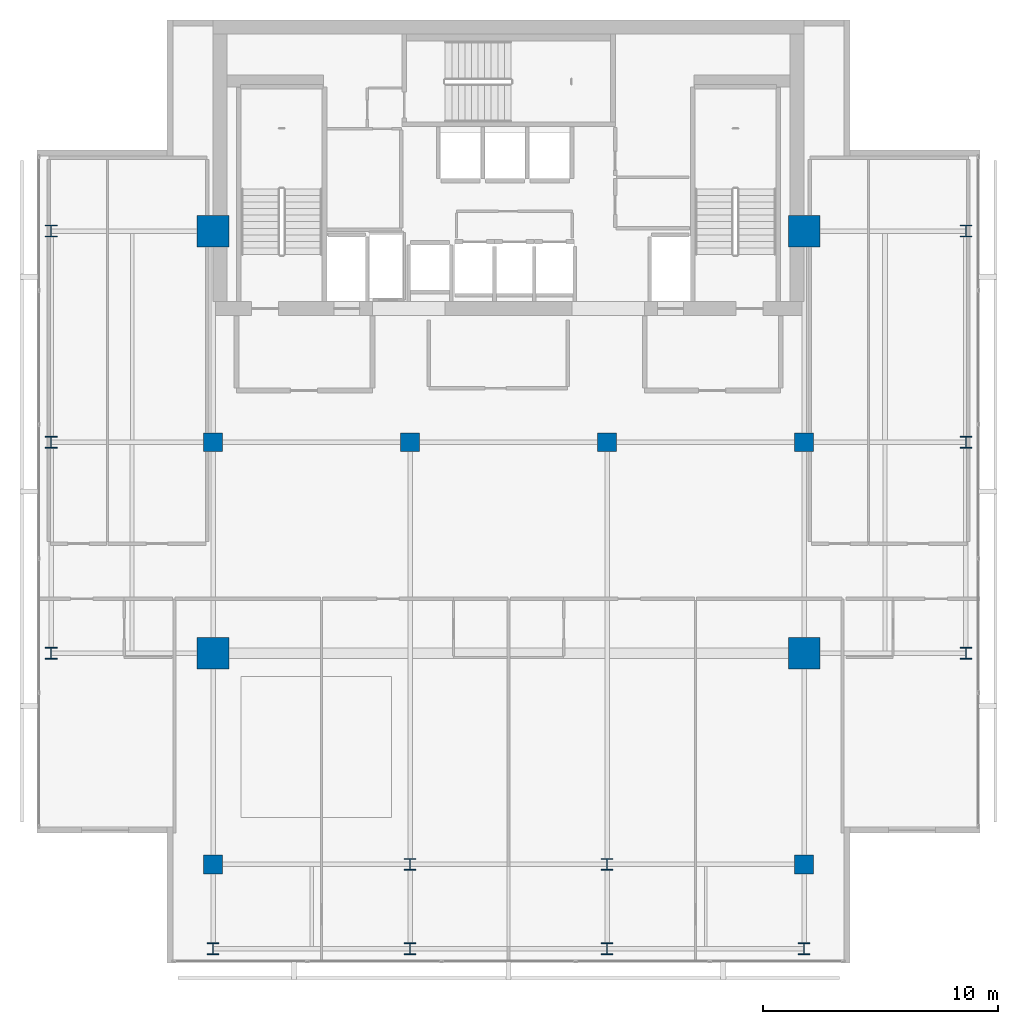
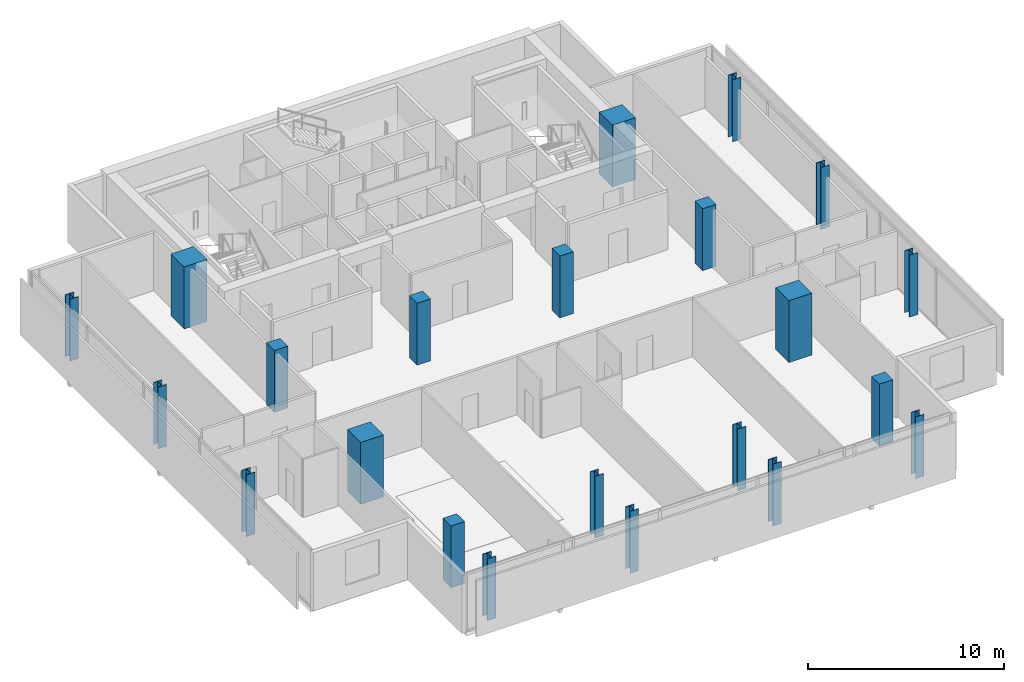
# One storey, part 1 of 23: 22 columns.
"""IFC4 building model written with IfcOpenShell, lengths in metres."""

from ifc_helpers import new_model, si_unit, direction, frame, origin, origin_2d, place, context, subcontext, project, spatial, rectangle, i_section, extrude, material, material_profile, profile_set, type_object, element, save


model = new_model("IFC4")

# Units and contexts
model_context = context("Model", 3, precision=1e-05, world=origin(), true_north=direction((0.0, 1.0)))
body_context = subcontext(model_context, "Body", "Model", "MODEL_VIEW")
ifc_project = project(units=[si_unit("LENGTHUNIT", "METRE"), si_unit("AREAUNIT", "SQUARE_METRE"), si_unit("VOLUMEUNIT", "CUBIC_METRE"), si_unit("PLANEANGLEUNIT", "RADIAN"), si_unit("MASSUNIT", "GRAM", prefix="KILO")], contexts=[model_context])

# Site, building, storey
site_placement = place(None, origin())
site = spatial("IfcSite", under=ifc_project, at=site_placement, CompositionType="ELEMENT")
building_placement = place(site_placement, origin())
building = spatial("IfcBuilding", under=site, at=building_placement, Name="Maruvema Waterfront Hotel and Observation Tower", CompositionType="ELEMENT")
storey_placement = place(building_placement, frame((0.0, 0.0, 341.25)))
storey = spatial("IfcBuildingStorey", under=building, at=storey_placement, Name="L84", CompositionType="ELEMENT", Elevation=341.25)

# Columns
ifc_material_1 = material(Name="Concrete C70/85", Category="concrete")
ifc_material_profile_1 = material_profile(ifc_material_1, rectangle(XDim=1.35009765625, YDim=1.35009765625, at=origin_2d()), Name="MC1350x1350")
ifc_profile_set_1 = profile_set([ifc_material_profile_1], Name="Concrete C70/85")
column_type_1 = type_object("IfcColumnType", Name="Continuous Mega-Column MC1350x1350", PredefinedType="COLUMN", material=ifc_profile_set_1)
for number, where, z_axis, x_axis, name in (
    (1, (25.199951171875, 27.0, 0.0), (0.0, 0.0, 1.0), (1.0, 0.0, 0.0), "L84 Continuous Mega-Column MC-01"),
    (2, (50.39990234375, 27.0, 0.0), (0.0, 0.0, 1.0), (1.0, 0.0, 0.0), "L84 Continuous Mega-Column MC-02"),
    (3, (25.199951171875, 45.0, 0.0), (0.0, 0.0, 1.0), (1.0, 0.0, 0.0), "L84 Continuous Mega-Column MC-03"),
    (4, (50.39990234375, 45.0, 0.0), (0.0, 0.0, 1.0), (1.0, 0.0, 0.0), "L84 Continuous Mega-Column MC-04"),
):
    element("IfcColumn", number, at=place(storey_placement, frame(where, z_axis=z_axis, x_axis=x_axis)), inside=storey, type_object=column_type_1, Name=name, PredefinedType="COLUMN", context=body_context, shape_type="SweptSolid", body=[
        extrude(rectangle(XDim=1.35009765625, YDim=1.35009765625, at=origin_2d()), origin(), (0.0, 0.0, 1.0), 3.85009765625),
    ])
ifc_material_2 = material(Name="Concrete C60/75", Category="concrete")
ifc_material_profile_2 = material_profile(ifc_material_2, rectangle(XDim=0.800048828125, YDim=0.800048828125, at=origin_2d()), Name="RC800x800")
ifc_profile_set_2 = profile_set([ifc_material_profile_2], Name="Concrete C60/75")
column_type_2 = type_object("IfcColumnType", Name="Reinforced Concrete Column RC800x800", PredefinedType="COLUMN", material=ifc_profile_set_2)
for number, where, z_axis, x_axis, name in (
    (5, (25.199951171875, 36.0, 0.0), (0.0, 0.0, 1.0), (1.0, 0.0, 0.0), "L84 Column C-4E"),
    (6, (33.60009765625, 36.0, 0.0), (0.0, 0.0, 1.0), (1.0, 0.0, 0.0), "L84 Column C-5E"),
    (7, (42.0, 36.0, 0.0), (0.0, 0.0, 1.0), (1.0, 0.0, 0.0), "L84 Column C-6E"),
    (8, (50.39990234375, 36.0, 0.0), (0.0, 0.0, 1.0), (1.0, 0.0, 0.0), "L84 Column C-7E"),
    (9, (25.199951171875, 18.0, 0.0), (0.0, 0.0, 1.0), (1.0, 0.0, 0.0), "L84 Column C-4C"),
    (10, (50.39990234375, 18.0, 0.0), (0.0, 0.0, 1.0), (1.0, 0.0, 0.0), "L84 Column C-7C"),
):
    element("IfcColumn", number, at=place(storey_placement, frame(where, z_axis=z_axis, x_axis=x_axis)), inside=storey, type_object=column_type_2, Name=name, PredefinedType="COLUMN", context=body_context, shape_type="SweptSolid", body=[
        extrude(rectangle(XDim=0.800048828125, YDim=0.800048828125, at=origin_2d()), origin(), (0.0, 0.0, 1.0), 3.85009765625),
    ])
ifc_material_3 = material(Name="Steel ABNT NBR 7007 AR 415 (ASTM A572 Grade 50)", Category="steel")
ifc_material_profile_3 = material_profile(ifc_material_3, i_section(OverallWidth=0.5, OverallDepth=0.5, WebThickness=0.02197265625, FlangeThickness=0.031982421875, at=origin_2d()), Name="CVS500x223")
ifc_profile_set_3 = profile_set([ifc_material_profile_3], Name="Steel ABNT NBR 7007 AR 415 (ASTM A572 Grade 50)")
column_type_3 = type_object("IfcColumnType", Name="Structural Steel Column CVS500x223", PredefinedType="COLUMN", material=ifc_profile_set_3)
for number, where, z_axis, x_axis, name in (
    (11, (33.60009765625, 18.0, 0.0), (0.0, 0.0, 1.0), (1.0, 0.0, 0.0), "L84 Column C-5C"),
    (12, (42.0, 18.0, 0.0), (0.0, 0.0, 1.0), (1.0, 0.0, 0.0), "L84 Column C-6C"),
    (13, (18.300048828125, 27.0, 0.0), (0.0, 0.0, 1.0), (1.0, 0.0, 0.0), "L84 Column C-Z4W27"),
    (14, (57.300048828125, 27.0, 0.0), (0.0, 0.0, 1.0), (1.0, 0.0, 0.0), "L84 Column C-Z4E27"),
    (15, (18.300048828125, 36.0, 0.0), (0.0, 0.0, 1.0), (1.0, 0.0, 0.0), "L84 Column C-Z4W36"),
    (16, (57.300048828125, 36.0, 0.0), (0.0, 0.0, 1.0), (1.0, 0.0, 0.0), "L84 Column C-Z4E36"),
    (17, (18.300048828125, 45.0, 0.0), (0.0, 0.0, 1.0), (1.0, 0.0, 0.0), "L84 Column C-Z4W45"),
    (18, (57.300048828125, 45.0, 0.0), (0.0, 0.0, 1.0), (1.0, 0.0, 0.0), "L84 Column C-Z4E45"),
    (19, (25.199951171875, 14.39990234375, 0.0), (0.0, 0.0, 1.0), (1.0, 0.0, 0.0), "L84 Column C-Z4S4"),
    (20, (33.60009765625, 14.39990234375, 0.0), (0.0, 0.0, 1.0), (1.0, 0.0, 0.0), "L84 Column C-Z4S5"),
    (21, (42.0, 14.39990234375, 0.0), (0.0, 0.0, 1.0), (1.0, 0.0, 0.0), "L84 Column C-Z4S6"),
    (22, (50.39990234375, 14.39990234375, 0.0), (0.0, 0.0, 1.0), (1.0, 0.0, 0.0), "L84 Column C-Z4S7"),
):
    element("IfcColumn", number, at=place(storey_placement, frame(where, z_axis=z_axis, x_axis=x_axis)), inside=storey, type_object=column_type_3, Name=name, PredefinedType="COLUMN", context=body_context, shape_type="SweptSolid", body=[
        extrude(i_section(OverallWidth=0.5, OverallDepth=0.5, WebThickness=0.02197265625, FlangeThickness=0.031982421875, at=origin_2d()), origin(), (0.0, 0.0, 1.0), 3.85009765625),
    ])

save(model, "model.ifc")
